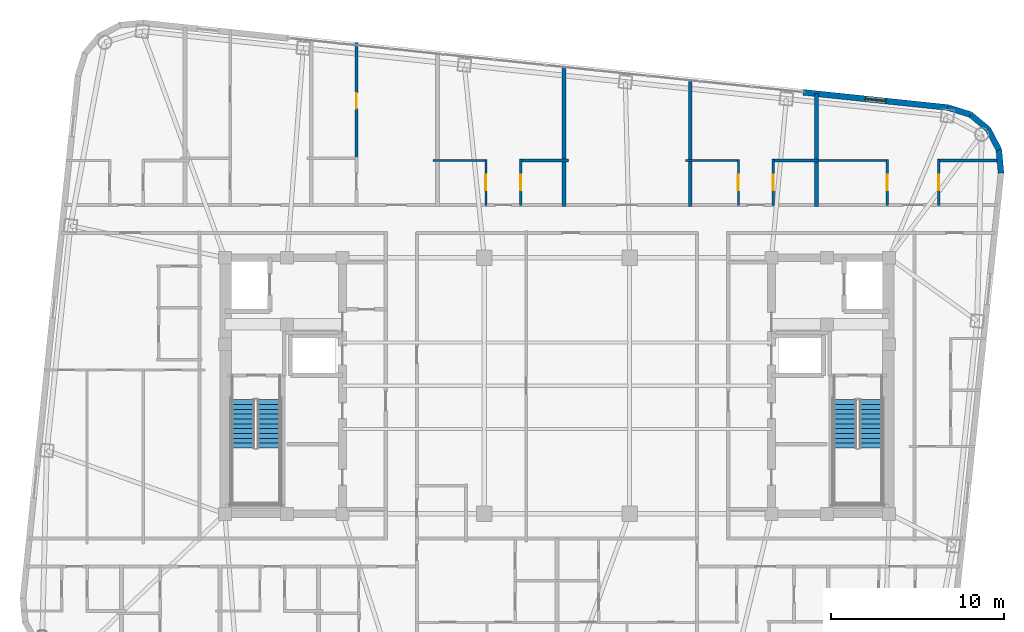
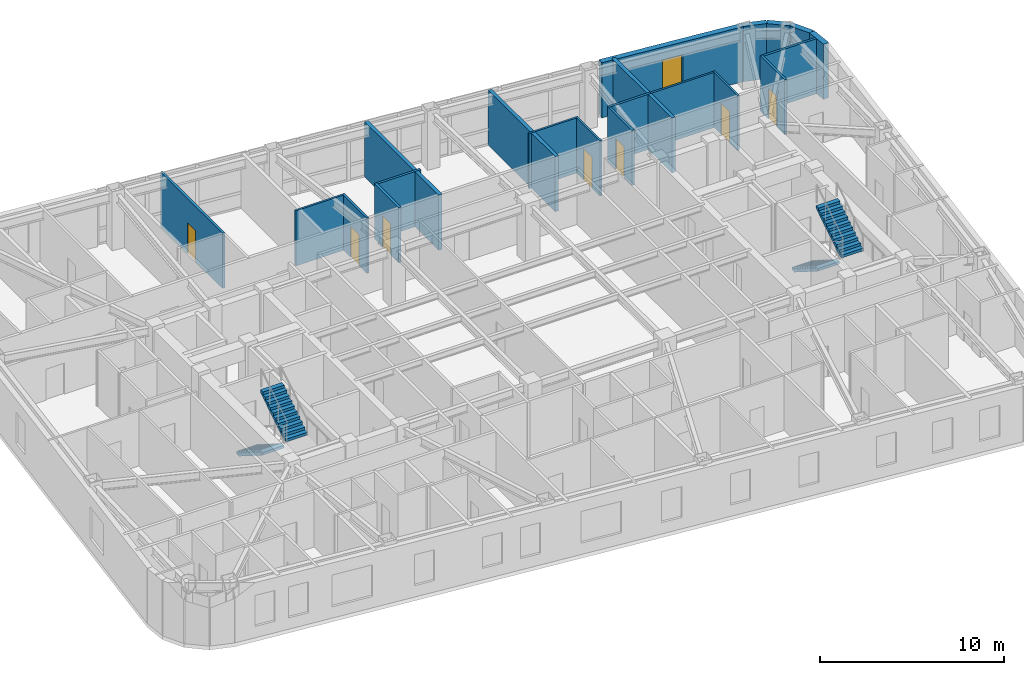
# One storey, part 13 of 15: 21 walls, 7 doors, 4 stair flights, 1 window, 8 openings, 2 elements without a shape of their own.
"""IFC4 building model written with IfcOpenShell, lengths in metres."""

from ifc_helpers import new_model, si_unit, direction, frame, frame_2d, origin, place, context, subcontext, project, spatial, polyline, rectangle, outline, extrude, material, layer, layer_set, type_object, element, fill, aggregate, save


model = new_model("IFC4")

# Units and contexts
model_context = context("Model", 3, precision=1e-05, world=origin(), true_north=direction((0.0, 1.0)))
body_context = subcontext(model_context, "Body", "Model", "MODEL_VIEW")
ifc_project = project(units=[si_unit("LENGTHUNIT", "METRE"), si_unit("AREAUNIT", "SQUARE_METRE"), si_unit("VOLUMEUNIT", "CUBIC_METRE"), si_unit("PLANEANGLEUNIT", "RADIAN"), si_unit("MASSUNIT", "GRAM", prefix="KILO")], contexts=[model_context])

# Site, building, storey
site_placement = place(None, origin())
site = spatial("IfcSite", under=ifc_project, at=site_placement, CompositionType="ELEMENT")
building_placement = place(site_placement, origin())
building = spatial("IfcBuilding", under=site, at=building_placement, Name="Voryun Gate Residences", CompositionType="ELEMENT")
storey_placement = place(building_placement, frame((0.0, 0.0, 263.89990234375)))
storey = spatial("IfcBuildingStorey", under=building, at=storey_placement, Name="L65", CompositionType="ELEMENT", Elevation=263.89990234375)

# Wall, opening, window
ifc_material_1 = material(Name="Charcoal terracotta masonry", Category="masonry")
ifc_layer_1 = layer(ifc_material_1, 0.340087890625, Name="W_EXT_TERRACOTTA_340")
ifc_layer_set_1 = layer_set([ifc_layer_1], Name="Charcoal terracotta masonry")
wall_type_1 = type_object("IfcWallType", Name="W_EXT_TERRACOTTA_340", PredefinedType="ELEMENTEDWALL", material=ifc_layer_set_1)
wall_1_placement = place(storey_placement, frame((14.230712890625, 16.963623046875, 0.0), z_axis=(0.0, 0.0, 1.0), x_axis=(0.994522285292, -0.104524753323, 0.0)))
wall_1 = element("IfcWall", 1, at=wall_1_placement, inside=storey, type_object=wall_type_1, Name="Exterior wall WEXT-L65-11B", PredefinedType="ELEMENTEDWALL", context=body_context, shape_type="SweptSolid", body=[
    extrude(rectangle(XDim=8.41796875, YDim=0.340087890625, at=frame_2d((4.208984375, 0.0))), origin(), (0.0, 0.0, 1.0), 3.650146484375),
])
opening_1_placement = place(wall_1_placement, frame((3.60888671875, 0.0, 0.75)))
opening_1 = element("IfcOpeningElement", 2, at=opening_1_placement, cuts=wall_1, Name="Opening WN6", PredefinedType="OPENING", context=body_context, shape_type="SweptSolid", body=[
    extrude(rectangle(XDim=1.199951171875, YDim=2.050048828125, at=frame_2d((0.60009765625, 1.02490234375))), frame((0.0, 0.179931640625, 0.0), z_axis=(0.0, -1.0, 0.0), x_axis=(1.0, 0.0, 0.0)), (0.0, 0.0, 1.0), 0.360107421875),
])
ifc_material_2 = material(Name="Laminated low-E glass", Category="glass")
window_type = type_object("IfcWindowType", Name="WN_POD_SLOT_1200", PartitioningType="SINGLE_PANEL", PredefinedType="WINDOW", material=ifc_material_2)
window_placement = place(opening_1_placement, origin())
window = element("IfcWindow", 3, at=window_placement, inside=storey, type_object=window_type, Name="Window WN-L65-DWFIX-03", OverallHeight=2.050048828125, OverallWidth=1.199951171875, PartitioningType="SINGLE_PANEL", PredefinedType="WINDOW", context=body_context, shape_type="SweptSolid", body=[
    extrude(rectangle(XDim=1.199951171875, YDim=2.050048828125, at=frame_2d((0.60009765625, 1.02490234375))), frame((0.0, 0.030029296875, 0.0), z_axis=(0.0, -1.0, 0.0), x_axis=(1.0, 0.0, 0.0)), (0.0, 0.0, 1.0), 0.06005859375),
])
fill(opening_1, window)

# Walls
wall_2_placement = place(storey_placement, frame((22.6025390625, 16.083740234375, 0.0), z_axis=(0.0, 0.0, 1.0), x_axis=(0.955007802701, -0.296580674994, 0.0)))
element("IfcWall", 4, at=wall_2_placement, inside=storey, type_object=wall_type_1, Name="Exterior wall WEXT-L65-12", PredefinedType="ELEMENTEDWALL", context=body_context, shape_type="SweptSolid", body=[
    extrude(rectangle(XDim=1.354248046875, YDim=0.340087890625, at=frame_2d((0.67724609375, 0.0))), origin(), (0.0, 0.0, 1.0), 3.650146484375),
])
for number, where, z_axis, x_axis, name in (
    (5, (23.895751953125, 15.68212890625, 0.0), (0.0, 0.0, 1.0), (0.768789762863, -0.639501603217, 0.0), "Exterior wall WEXT-L65-13"),
    (6, (24.923583984375, 14.8271484375, 0.0), (0.0, 0.0, 1.0), (0.46567116636, -0.884957832228, 0.0), "Exterior wall WEXT-L65-14"),
):
    element("IfcWall", number, at=place(storey_placement, frame(where, z_axis=z_axis, x_axis=x_axis)), inside=storey, type_object=wall_type_1, Name=name, PredefinedType="ELEMENTEDWALL", context=body_context, shape_type="SweptSolid", body=[
        extrude(rectangle(XDim=1.3369140625, YDim=0.340087890625, at=frame_2d((0.66845703125, 0.0))), origin(), (0.0, 0.0, 1.0), 3.650146484375),
    ])
wall_3_placement = place(storey_placement, frame((25.546142578125, 13.64404296875, 0.0), z_axis=(0.0, 0.0, 1.0), x_axis=(0.091592370975, -0.995796584438, 0.0)))
element("IfcWall", 7, at=wall_3_placement, inside=storey, type_object=wall_type_1, Name="Exterior wall WEXT-L65-15", PredefinedType="ELEMENTEDWALL", context=body_context, shape_type="SweptSolid", body=[
    extrude(rectangle(XDim=1.35400390625, YDim=0.340087890625, at=frame_2d((0.677001953125, 0.0))), origin(), (0.0, 0.0, 1.0), 3.650146484375),
])
ifc_material_3 = material(Name="Concrete C40/50", Category="concrete")
ifc_layer_2 = layer(ifc_material_3, 0.219970703125, Name="W_PARTY_ACOUSTIC_220")
ifc_layer_set_2 = layer_set([ifc_layer_2], Name="Concrete C40/50")
wall_type_2 = type_object("IfcWallType", Name="W_PARTY_ACOUSTIC_220", PredefinedType="PARTITIONING", material=ifc_layer_set_2)
wall_4_placement = place(storey_placement, frame((0.39990234375, 10.3701171875, 0.0), z_axis=(0.0, 0.0, 1.0), x_axis=(0.0, 1.0, 0.0)))
element("IfcWall", 8, at=wall_4_placement, inside=storey, type_object=wall_type_2, Name="Partition wall WP-L65-NPTY-4", PredefinedType="PARTITIONING", context=body_context, shape_type="SweptSolid", body=[
    extrude(rectangle(XDim=8.047119140625, YDim=0.219970703125, at=frame_2d((4.0234375, 0.0))), origin(), (0.0, 0.0, 1.0), 3.650146484375),
])
wall_5_placement = place(storey_placement, frame((7.699951171875, 10.3701171875, 0.0), z_axis=(0.0, 0.0, 1.0), x_axis=(0.0, 1.0, 0.0)))
element("IfcWall", 9, at=wall_5_placement, inside=storey, type_object=wall_type_2, Name="Partition wall WP-L65-NPTY-5", PredefinedType="PARTITIONING", context=body_context, shape_type="SweptSolid", body=[
    extrude(rectangle(XDim=7.27978515625, YDim=0.219970703125, at=frame_2d((3.639892578125, 0.0))), origin(), (0.0, 0.0, 1.0), 3.650146484375),
])
wall_6_placement = place(storey_placement, frame((15.0, 10.3701171875, 0.0), z_axis=(0.0, 0.0, 1.0), x_axis=(0.0, 1.0, 0.0)))
element("IfcWall", 10, at=wall_6_placement, inside=storey, type_object=wall_type_2, Name="Partition wall WP-L65-NPTY-6", PredefinedType="PARTITIONING", context=body_context, shape_type="SweptSolid", body=[
    extrude(rectangle(XDim=6.5126953125, YDim=0.219970703125, at=frame_2d((3.25634765625, 0.0))), origin(), (0.0, 0.0, 1.0), 3.650146484375),
])

# Wall, opening, door
ifc_material_4 = material(Name="Gypsum acoustic partition")
ifc_layer_3 = layer(ifc_material_4, 0.125, Name="W_UNIT_PART_125")
ifc_layer_set_3 = layer_set([ifc_layer_3], Name="Gypsum acoustic partition")
wall_type_3 = type_object("IfcWallType", Name="W_UNIT_PART_125", PredefinedType="PARTITIONING", material=ifc_layer_set_3)
wall_7_placement = place(storey_placement, frame((-4.112060546875, 10.429931640625, 0.0), z_axis=(0.0, 0.0, 1.0), x_axis=(0.0, 1.0, 0.0)))
wall_7 = element("IfcWall", 11, at=wall_7_placement, inside=storey, type_object=wall_type_3, Name="Partition wall WP-L65-N4-CVK", PredefinedType="PARTITIONING", context=body_context, shape_type="SweptSolid", body=[
    extrude(rectangle(XDim=2.650146484375, YDim=0.125, at=frame_2d((1.3251953125, 0.0))), origin(), (0.0, 0.0, 1.0), 3.650146484375),
])
opening_2_placement = place(wall_7_placement, frame((0.875, 0.0, 0.0)))
opening_2 = element("IfcOpeningElement", 12, at=opening_2_placement, cuts=wall_7, Name="Opening D-INT-2", PredefinedType="OPENING", context=body_context, shape_type="SweptSolid", body=[
    extrude(rectangle(XDim=0.89990234375, YDim=2.050048828125, at=frame_2d((0.449951171875, 1.02490234375))), frame((0.0, 0.072509765625, 0.0), z_axis=(0.0, -1.0, 0.0), x_axis=(1.0, 0.0, 0.0)), (0.0, 0.0, 1.0), 0.14501953125),
])
ifc_material_5 = material(Name="Architectural oak veneer")
door_type = type_object("IfcDoorType", Name="DR_INT_BATH_900", OperationType="NOTDEFINED", PredefinedType="DOOR", material=ifc_material_5)
door_1_placement = place(opening_2_placement, origin())
door_1 = element("IfcDoor", 13, at=door_1_placement, inside=storey, type_object=door_type, Name="Door DR-L65-N4-DK", OperationType="SINGLE_SWING_LEFT", OverallHeight=2.050048828125, OverallWidth=0.89990234375, PredefinedType="DOOR", context=body_context, shape_type="SweptSolid", body=[
    extrude(rectangle(XDim=0.89990234375, YDim=2.050048828125, at=frame_2d((0.449951171875, 1.02490234375))), frame((0.0, 0.02490234375, 0.0), z_axis=(0.0, -1.0, 0.0), x_axis=(1.0, 0.0, 0.0)), (0.0, 0.0, 1.0), 0.050048828125),
])
fill(opening_2, door_1)

# Wall
wall_8_placement = place(storey_placement, frame((-7.159912109375, 13.02001953125, 0.0), z_axis=(0.0, 0.0, 1.0), x_axis=(1.0, 0.0, 0.0)))
element("IfcWall", 14, at=wall_8_placement, inside=storey, type_object=wall_type_3, Name="Partition wall WP-L65-N4-CHK", PredefinedType="PARTITIONING", context=body_context, shape_type="SweptSolid", body=[
    extrude(rectangle(XDim=3.10791015625, YDim=0.125, at=frame_2d((1.553955078125, 0.0))), origin(), (0.0, 0.0, 1.0), 3.650146484375),
])

# Wall, opening, door
wall_9_placement = place(storey_placement, frame((10.488037109375, 10.429931640625, 0.0), z_axis=(0.0, 0.0, 1.0), x_axis=(0.0, 1.0, 0.0)))
wall_9 = element("IfcWall", 15, at=wall_9_placement, inside=storey, type_object=wall_type_3, Name="Partition wall WP-L65-N6-CVK", PredefinedType="PARTITIONING", context=body_context, shape_type="SweptSolid", body=[
    extrude(rectangle(XDim=2.650146484375, YDim=0.125, at=frame_2d((1.3251953125, 0.0))), origin(), (0.0, 0.0, 1.0), 3.650146484375),
])
opening_3_placement = place(wall_9_placement, frame((0.875, 0.0, 0.0)))
opening_3 = element("IfcOpeningElement", 16, at=opening_3_placement, cuts=wall_9, Name="Opening D-INT-2", PredefinedType="OPENING", context=body_context, shape_type="SweptSolid", body=[
    extrude(rectangle(XDim=0.89990234375, YDim=2.050048828125, at=frame_2d((0.449951171875, 1.02490234375))), frame((0.0, 0.072509765625, 0.0), z_axis=(0.0, -1.0, 0.0), x_axis=(1.0, 0.0, 0.0)), (0.0, 0.0, 1.0), 0.14501953125),
])
door_2_placement = place(opening_3_placement, origin())
door_2 = element("IfcDoor", 17, at=door_2_placement, inside=storey, type_object=door_type, Name="Door DR-L65-N6-DK", OperationType="SINGLE_SWING_LEFT", OverallHeight=2.050048828125, OverallWidth=0.89990234375, PredefinedType="DOOR", context=body_context, shape_type="SweptSolid", body=[
    extrude(rectangle(XDim=0.89990234375, YDim=2.050048828125, at=frame_2d((0.449951171875, 1.02490234375))), frame((0.0, 0.02490234375, 0.0), z_axis=(0.0, -1.0, 0.0), x_axis=(1.0, 0.0, 0.0)), (0.0, 0.0, 1.0), 0.050048828125),
])
fill(opening_3, door_2)

# Wall
wall_10_placement = place(storey_placement, frame((7.43994140625, 13.02001953125, 0.0), z_axis=(0.0, 0.0, 1.0), x_axis=(1.0, 0.0, 0.0)))
element("IfcWall", 18, at=wall_10_placement, inside=storey, type_object=wall_type_3, Name="Partition wall WP-L65-N6-CHK", PredefinedType="PARTITIONING", context=body_context, shape_type="SweptSolid", body=[
    extrude(rectangle(XDim=3.108154296875, YDim=0.125, at=frame_2d((1.55419921875, 0.0))), origin(), (0.0, 0.0, 1.0), 3.650146484375),
])

# Wall, opening, door
wall_11_placement = place(storey_placement, frame((19.093994140625, 10.429931640625, 0.0), z_axis=(0.0, 0.0, 1.0), x_axis=(0.0, 1.0, 0.0)))
wall_11 = element("IfcWall", 19, at=wall_11_placement, inside=storey, type_object=wall_type_3, Name="Partition wall WP-L65-N7-CVK", PredefinedType="PARTITIONING", context=body_context, shape_type="SweptSolid", body=[
    extrude(rectangle(XDim=2.650146484375, YDim=0.125, at=frame_2d((1.3251953125, 0.0))), origin(), (0.0, 0.0, 1.0), 3.650146484375),
])
opening_4_placement = place(wall_11_placement, frame((0.875, 0.0, 0.0)))
opening_4 = element("IfcOpeningElement", 20, at=opening_4_placement, cuts=wall_11, Name="Opening D-INT-2", PredefinedType="OPENING", context=body_context, shape_type="SweptSolid", body=[
    extrude(rectangle(XDim=0.89990234375, YDim=2.050048828125, at=frame_2d((0.449951171875, 1.02490234375))), frame((0.0, 0.072509765625, 0.0), z_axis=(0.0, -1.0, 0.0), x_axis=(1.0, 0.0, 0.0)), (0.0, 0.0, 1.0), 0.14501953125),
])
door_3_placement = place(opening_4_placement, origin())
door_3 = element("IfcDoor", 21, at=door_3_placement, inside=storey, type_object=door_type, Name="Door DR-L65-N7-DK", OperationType="SINGLE_SWING_LEFT", OverallHeight=2.050048828125, OverallWidth=0.89990234375, PredefinedType="DOOR", context=body_context, shape_type="SweptSolid", body=[
    extrude(rectangle(XDim=0.89990234375, YDim=2.050048828125, at=frame_2d((0.449951171875, 1.02490234375))), frame((0.0, 0.02490234375, 0.0), z_axis=(0.0, -1.0, 0.0), x_axis=(1.0, 0.0, 0.0)), (0.0, 0.0, 1.0), 0.050048828125),
])
fill(opening_4, door_3)

# Wall
wall_12_placement = place(storey_placement, frame((14.925048828125, 13.02001953125, 0.0), z_axis=(0.0, 0.0, 1.0), x_axis=(1.0, 0.0, 0.0)))
element("IfcWall", 22, at=wall_12_placement, inside=storey, type_object=wall_type_3, Name="Partition wall WP-L65-N7-CHK", PredefinedType="PARTITIONING", context=body_context, shape_type="SweptSolid", body=[
    extrude(rectangle(XDim=4.22900390625, YDim=0.125, at=frame_2d((2.114501953125, 0.0))), origin(), (0.0, 0.0, 1.0), 3.650146484375),
])

# Wall, opening, door
ifc_material_6 = material(Name="Gypsum moisture-resistant partition")
ifc_layer_4 = layer(ifc_material_6, 0.14990234375, Name="W_WET_PLUMB_150")
ifc_layer_set_4 = layer_set([ifc_layer_4], Name="Gypsum moisture-resistant partition")
wall_type_4 = type_object("IfcWallType", Name="W_WET_PLUMB_150", PredefinedType="PLUMBINGWALL", material=ifc_layer_set_4)
wall_13_placement = place(storey_placement, frame((-11.590087890625, 13.110107421875, 0.0), z_axis=(0.0, 0.0, 1.0), x_axis=(0.0, 1.0, 0.0)))
wall_13 = element("IfcWall", 23, at=wall_13_placement, inside=storey, type_object=wall_type_4, Name="Partition wall WP-L65-N3-SVT2", PredefinedType="PLUMBINGWALL", context=body_context, shape_type="SweptSolid", body=[
    extrude(rectangle(XDim=6.71826171875, YDim=0.14990234375, at=frame_2d((3.359130859375, 0.0))), origin(), (0.0, 0.0, 1.0), 3.650146484375),
])
opening_5_placement = place(wall_13_placement, frame((2.9091796875, 0.0, 0.0)))
opening_5 = element("IfcOpeningElement", 24, at=opening_5_placement, cuts=wall_13, Name="Opening D-INT-2", PredefinedType="OPENING", context=body_context, shape_type="SweptSolid", body=[
    extrude(rectangle(XDim=0.89990234375, YDim=2.050048828125, at=frame_2d((0.449951171875, 1.02490234375))), frame((0.0, 0.0849609375, 0.0), z_axis=(0.0, -1.0, 0.0), x_axis=(1.0, 0.0, 0.0)), (0.0, 0.0, 1.0), 0.169921875),
])
door_4_placement = place(opening_5_placement, origin())
door_4 = element("IfcDoor", 25, at=door_4_placement, inside=storey, type_object=door_type, Name="Door DR-L65-N3-DK", OperationType="SINGLE_SWING_RIGHT", OverallHeight=2.050048828125, OverallWidth=0.89990234375, PredefinedType="DOOR", context=body_context, shape_type="SweptSolid", body=[
    extrude(rectangle(XDim=0.89990234375, YDim=2.050048828125, at=frame_2d((0.449951171875, 1.02490234375))), frame((0.0, 0.02490234375, 0.0), z_axis=(0.0, -1.0, 0.0), x_axis=(1.0, 0.0, 0.0)), (0.0, 0.0, 1.0), 0.050048828125),
])
fill(opening_5, door_4)

wall_14_placement = place(storey_placement, frame((-2.10107421875, 10.429931640625, 0.0), z_axis=(0.0, 0.0, 1.0), x_axis=(0.0, 1.0, 0.0)))
wall_14 = element("IfcWall", 26, at=wall_14_placement, inside=storey, type_object=wall_type_4, Name="Partition wall WP-L65-N4-CVB", PredefinedType="PLUMBINGWALL", context=body_context, shape_type="SweptSolid", body=[
    extrude(rectangle(XDim=2.650146484375, YDim=0.14990234375, at=frame_2d((1.3251953125, 0.0))), origin(), (0.0, 0.0, 1.0), 3.650146484375),
])
opening_6_placement = place(wall_14_placement, frame((0.875, 0.0, 0.0)))
opening_6 = element("IfcOpeningElement", 27, at=opening_6_placement, cuts=wall_14, Name="Opening D-INT-2", PredefinedType="OPENING", context=body_context, shape_type="SweptSolid", body=[
    extrude(rectangle(XDim=0.89990234375, YDim=2.050048828125, at=frame_2d((0.449951171875, 1.02490234375))), frame((0.0, 0.0849609375, 0.0), z_axis=(0.0, -1.0, 0.0), x_axis=(1.0, 0.0, 0.0)), (0.0, 0.0, 1.0), 0.169921875),
])
door_5_placement = place(opening_6_placement, origin())
door_5 = element("IfcDoor", 28, at=door_5_placement, inside=storey, type_object=door_type, Name="Door DR-L65-N4-DB", OperationType="SINGLE_SWING_RIGHT", OverallHeight=2.050048828125, OverallWidth=0.89990234375, PredefinedType="DOOR", context=body_context, shape_type="SweptSolid", body=[
    extrude(rectangle(XDim=0.89990234375, YDim=2.050048828125, at=frame_2d((0.449951171875, 1.02490234375))), frame((0.0, 0.02490234375, 0.0), z_axis=(0.0, -1.0, 0.0), x_axis=(1.0, 0.0, 0.0)), (0.0, 0.0, 1.0), 0.050048828125),
])
fill(opening_6, door_5)

# Wall
wall_15_placement = place(storey_placement, frame((-2.160888671875, 13.02001953125, 0.0), z_axis=(0.0, 0.0, 1.0), x_axis=(1.0, 0.0, 0.0)))
element("IfcWall", 29, at=wall_15_placement, inside=storey, type_object=wall_type_4, Name="Partition wall WP-L65-N4-CHB", PredefinedType="PLUMBINGWALL", context=body_context, shape_type="SweptSolid", body=[
    extrude(rectangle(XDim=2.82080078125, YDim=0.14990234375, at=frame_2d((1.410400390625, 0.0))), origin(), (0.0, 0.0, 1.0), 3.650146484375),
])

# Wall, opening, door
wall_16_placement = place(storey_placement, frame((12.4990234375, 10.429931640625, 0.0), z_axis=(0.0, 0.0, 1.0), x_axis=(0.0, 1.0, 0.0)))
wall_16 = element("IfcWall", 30, at=wall_16_placement, inside=storey, type_object=wall_type_4, Name="Partition wall WP-L65-N6-CVB", PredefinedType="PLUMBINGWALL", context=body_context, shape_type="SweptSolid", body=[
    extrude(rectangle(XDim=2.650146484375, YDim=0.14990234375, at=frame_2d((1.3251953125, 0.0))), origin(), (0.0, 0.0, 1.0), 3.650146484375),
])
opening_7_placement = place(wall_16_placement, frame((0.875, 0.0, 0.0)))
opening_7 = element("IfcOpeningElement", 31, at=opening_7_placement, cuts=wall_16, Name="Opening D-INT-2", PredefinedType="OPENING", context=body_context, shape_type="SweptSolid", body=[
    extrude(rectangle(XDim=0.89990234375, YDim=2.050048828125, at=frame_2d((0.449951171875, 1.02490234375))), frame((0.0, 0.0849609375, 0.0), z_axis=(0.0, -1.0, 0.0), x_axis=(1.0, 0.0, 0.0)), (0.0, 0.0, 1.0), 0.169921875),
])
door_6_placement = place(opening_7_placement, origin())
door_6 = element("IfcDoor", 32, at=door_6_placement, inside=storey, type_object=door_type, Name="Door DR-L65-N6-DB", OperationType="SINGLE_SWING_RIGHT", OverallHeight=2.050048828125, OverallWidth=0.89990234375, PredefinedType="DOOR", context=body_context, shape_type="SweptSolid", body=[
    extrude(rectangle(XDim=0.89990234375, YDim=2.050048828125, at=frame_2d((0.449951171875, 1.02490234375))), frame((0.0, 0.02490234375, 0.0), z_axis=(0.0, -1.0, 0.0), x_axis=(1.0, 0.0, 0.0)), (0.0, 0.0, 1.0), 0.050048828125),
])
fill(opening_7, door_6)

# Wall
wall_17_placement = place(storey_placement, frame((12.43896484375, 13.02001953125, 0.0), z_axis=(0.0, 0.0, 1.0), x_axis=(1.0, 0.0, 0.0)))
element("IfcWall", 33, at=wall_17_placement, inside=storey, type_object=wall_type_4, Name="Partition wall WP-L65-N6-CHB", PredefinedType="PLUMBINGWALL", context=body_context, shape_type="SweptSolid", body=[
    extrude(rectangle(XDim=2.635986328125, YDim=0.14990234375, at=frame_2d((1.31787109375, 0.0))), origin(), (0.0, 0.0, 1.0), 3.650146484375),
])

# Wall, opening, door
wall_18_placement = place(storey_placement, frame((22.06689453125, 10.429931640625, 0.0), z_axis=(0.0, 0.0, 1.0), x_axis=(0.0, 1.0, 0.0)))
wall_18 = element("IfcWall", 34, at=wall_18_placement, inside=storey, type_object=wall_type_4, Name="Partition wall WP-L65-N7-CVB", PredefinedType="PLUMBINGWALL", context=body_context, shape_type="SweptSolid", body=[
    extrude(rectangle(XDim=2.650146484375, YDim=0.14990234375, at=frame_2d((1.3251953125, 0.0))), origin(), (0.0, 0.0, 1.0), 3.650146484375),
])
opening_8_placement = place(wall_18_placement, frame((0.875, 0.0, 0.0)))
opening_8 = element("IfcOpeningElement", 35, at=opening_8_placement, cuts=wall_18, Name="Opening D-INT-2", PredefinedType="OPENING", context=body_context, shape_type="SweptSolid", body=[
    extrude(rectangle(XDim=0.89990234375, YDim=2.050048828125, at=frame_2d((0.449951171875, 1.02490234375))), frame((0.0, 0.0849609375, 0.0), z_axis=(0.0, -1.0, 0.0), x_axis=(1.0, 0.0, 0.0)), (0.0, 0.0, 1.0), 0.169921875),
])
door_7_placement = place(opening_8_placement, origin())
door_7 = element("IfcDoor", 36, at=door_7_placement, inside=storey, type_object=door_type, Name="Door DR-L65-N7-DB", OperationType="SINGLE_SWING_RIGHT", OverallHeight=2.050048828125, OverallWidth=0.89990234375, PredefinedType="DOOR", context=body_context, shape_type="SweptSolid", body=[
    extrude(rectangle(XDim=0.89990234375, YDim=2.050048828125, at=frame_2d((0.449951171875, 1.02490234375))), frame((0.0, 0.02490234375, 0.0), z_axis=(0.0, -1.0, 0.0), x_axis=(1.0, 0.0, 0.0)), (0.0, 0.0, 1.0), 0.050048828125),
])
fill(opening_8, door_7)

# Wall
wall_19_placement = place(storey_placement, frame((22.007080078125, 13.02001953125, 0.0), z_axis=(0.0, 0.0, 1.0), x_axis=(1.0, 0.0, 0.0)))
element("IfcWall", 37, at=wall_19_placement, inside=storey, type_object=wall_type_4, Name="Partition wall WP-L65-N7-CHB", PredefinedType="PLUMBINGWALL", context=body_context, shape_type="SweptSolid", body=[
    extrude(rectangle(XDim=3.7470703125, YDim=0.14990234375, at=frame_2d((1.87353515625, 0.0))), origin(), (0.0, 0.0, 1.0), 3.650146484375),
])

# Stair, stair flights
ifc_material_7 = material(Name="Concrete C40/50", Category="concrete")
stair_type = type_object("IfcStairType", Name="STR_CORE_DOGLEG_1350", PredefinedType="HALF_TURN_STAIR", material=ifc_material_7)
stair_1_placement = place(storey_placement, origin())
stair_1 = element("IfcStair", 38, at=stair_1_placement, inside=storey, type_object=stair_type, Name="L65 Special Escape Stair ST-W1", PredefinedType="HALF_TURN_STAIR")
ifc_material_8 = material(Name="Concrete C40/50", Category="concrete")
stair_flight_type = type_object("IfcStairFlightType", Name="FLT_CORE_1350", PredefinedType="STRAIGHT", material=ifc_material_8)
stair_flight_1_placement = place(storey_placement, frame((-18.14990234375, -0.800048828125, 0.0), z_axis=(0.0, 0.0, 1.0), x_axis=(0.0, -1.0, 0.0)))
stair_flight_1 = element("IfcStairFlight", 39, at=stair_flight_1_placement, type_object=stair_flight_type, Name="ST-W1 flight 1", NumberOfRisers=11, NumberOfTreads=10, PredefinedType="STRAIGHT", RiserHeight=0.177272727, TreadLength=0.28, context=body_context, shape_type="SweptSolid", body=[
    extrude(outline(polyline([(0.0, 0.0), (0.0, 0.17724609375), (0.280029296875, 0.17724609375), (0.280029296875, 0.3544921875), (0.56005859375, 0.3544921875), (0.56005859375, 0.53173828125), (0.840087890625, 0.53173828125), (0.840087890625, 0.708984375), (1.1201171875, 0.708984375), (1.1201171875, 0.886474609375), (1.39990234375, 0.886474609375), (1.39990234375, 1.063720703125), (1.679931640625, 1.063720703125), (1.679931640625, 1.240966796875), (1.9599609375, 1.240966796875), (1.9599609375, 1.418212890625), (2.239990234375, 1.418212890625), (2.239990234375, 1.595458984375), (2.52001953125, 1.595458984375), (2.52001953125, 1.772705078125), (2.800048828125, 1.772705078125), (2.800048828125, 1.949951171875), (2.800048828125, 1.59521484375), (0.2802734375, 0.0), (0.0, 0.0)])), frame((0.0, 0.675048828125, 0.0), z_axis=(0.0, -1.0, 0.0), x_axis=(1.0, 0.0, 0.0)), (0.0, 0.0, 1.0), 1.35009765625),
])
stair_flight_2_placement = place(storey_placement, frame((-16.64990234375, -3.60009765625, 1.9501953125), z_axis=(0.0, 0.0, 1.0), x_axis=(0.0, 1.0, 0.0)))
stair_flight_2 = element("IfcStairFlight", 40, at=stair_flight_2_placement, type_object=stair_flight_type, Name="ST-W1 flight 2", NumberOfRisers=11, NumberOfTreads=10, PredefinedType="STRAIGHT", RiserHeight=0.177272727, TreadLength=0.28, context=body_context, shape_type="SweptSolid", body=[
    extrude(outline(polyline([(0.0, 0.0), (0.0, 0.17724609375), (0.280029296875, 0.17724609375), (0.280029296875, 0.3544921875), (0.56005859375, 0.3544921875), (0.56005859375, 0.53173828125), (0.840087890625, 0.53173828125), (0.840087890625, 0.708984375), (1.1201171875, 0.708984375), (1.1201171875, 0.886474609375), (1.39990234375, 0.886474609375), (1.39990234375, 1.063720703125), (1.679931640625, 1.063720703125), (1.679931640625, 1.240966796875), (1.9599609375, 1.240966796875), (1.9599609375, 1.418212890625), (2.239990234375, 1.418212890625), (2.239990234375, 1.595458984375), (2.52001953125, 1.595458984375), (2.52001953125, 1.772705078125), (2.800048828125, 1.772705078125), (2.800048828125, 1.949951171875), (2.800048828125, 1.59521484375), (0.2802734375, 0.0), (0.0, 0.0)])), frame((0.0, 0.675048828125, 0.0), z_axis=(0.0, -1.0, 0.0), x_axis=(1.0, 0.0, 0.0)), (0.0, 0.0, 1.0), 1.35009765625),
])
aggregate(stair_1, [stair_flight_1, stair_flight_2])

stair_2_placement = place(storey_placement, origin())
stair_2 = element("IfcStair", 41, at=stair_2_placement, inside=storey, type_object=stair_type, Name="L65 Special Escape Stair ST-E1", PredefinedType="HALF_TURN_STAIR")
stair_flight_3_placement = place(storey_placement, frame((16.64990234375, -0.800048828125, 0.0), z_axis=(0.0, 0.0, 1.0), x_axis=(0.0, -1.0, 0.0)))
stair_flight_3 = element("IfcStairFlight", 42, at=stair_flight_3_placement, type_object=stair_flight_type, Name="ST-E1 flight 1", NumberOfRisers=11, NumberOfTreads=10, PredefinedType="STRAIGHT", RiserHeight=0.177272727, TreadLength=0.28, context=body_context, shape_type="SweptSolid", body=[
    extrude(outline(polyline([(0.0, 0.0), (0.0, 0.17724609375), (0.280029296875, 0.17724609375), (0.280029296875, 0.3544921875), (0.56005859375, 0.3544921875), (0.56005859375, 0.53173828125), (0.840087890625, 0.53173828125), (0.840087890625, 0.708984375), (1.1201171875, 0.708984375), (1.1201171875, 0.886474609375), (1.39990234375, 0.886474609375), (1.39990234375, 1.063720703125), (1.679931640625, 1.063720703125), (1.679931640625, 1.240966796875), (1.9599609375, 1.240966796875), (1.9599609375, 1.418212890625), (2.239990234375, 1.418212890625), (2.239990234375, 1.595458984375), (2.52001953125, 1.595458984375), (2.52001953125, 1.772705078125), (2.800048828125, 1.772705078125), (2.800048828125, 1.949951171875), (2.800048828125, 1.59521484375), (0.2802734375, 0.0), (0.0, 0.0)])), frame((0.0, 0.675048828125, 0.0), z_axis=(0.0, -1.0, 0.0), x_axis=(1.0, 0.0, 0.0)), (0.0, 0.0, 1.0), 1.35009765625),
])
stair_flight_4_placement = place(storey_placement, frame((18.14990234375, -3.60009765625, 1.9501953125), z_axis=(0.0, 0.0, 1.0), x_axis=(0.0, 1.0, 0.0)))
stair_flight_4 = element("IfcStairFlight", 43, at=stair_flight_4_placement, type_object=stair_flight_type, Name="ST-E1 flight 2", NumberOfRisers=11, NumberOfTreads=10, PredefinedType="STRAIGHT", RiserHeight=0.177272727, TreadLength=0.28, context=body_context, shape_type="SweptSolid", body=[
    extrude(outline(polyline([(0.0, 0.0), (0.0, 0.17724609375), (0.280029296875, 0.17724609375), (0.280029296875, 0.3544921875), (0.56005859375, 0.3544921875), (0.56005859375, 0.53173828125), (0.840087890625, 0.53173828125), (0.840087890625, 0.708984375), (1.1201171875, 0.708984375), (1.1201171875, 0.886474609375), (1.39990234375, 0.886474609375), (1.39990234375, 1.063720703125), (1.679931640625, 1.063720703125), (1.679931640625, 1.240966796875), (1.9599609375, 1.240966796875), (1.9599609375, 1.418212890625), (2.239990234375, 1.418212890625), (2.239990234375, 1.595458984375), (2.52001953125, 1.595458984375), (2.52001953125, 1.772705078125), (2.800048828125, 1.772705078125), (2.800048828125, 1.949951171875), (2.800048828125, 1.59521484375), (0.2802734375, 0.0), (0.0, 0.0)])), frame((0.0, 0.675048828125, 0.0), z_axis=(0.0, -1.0, 0.0), x_axis=(1.0, 0.0, 0.0)), (0.0, 0.0, 1.0), 1.35009765625),
])
aggregate(stair_2, [stair_flight_3, stair_flight_4])

save(model, "model.ifc")
